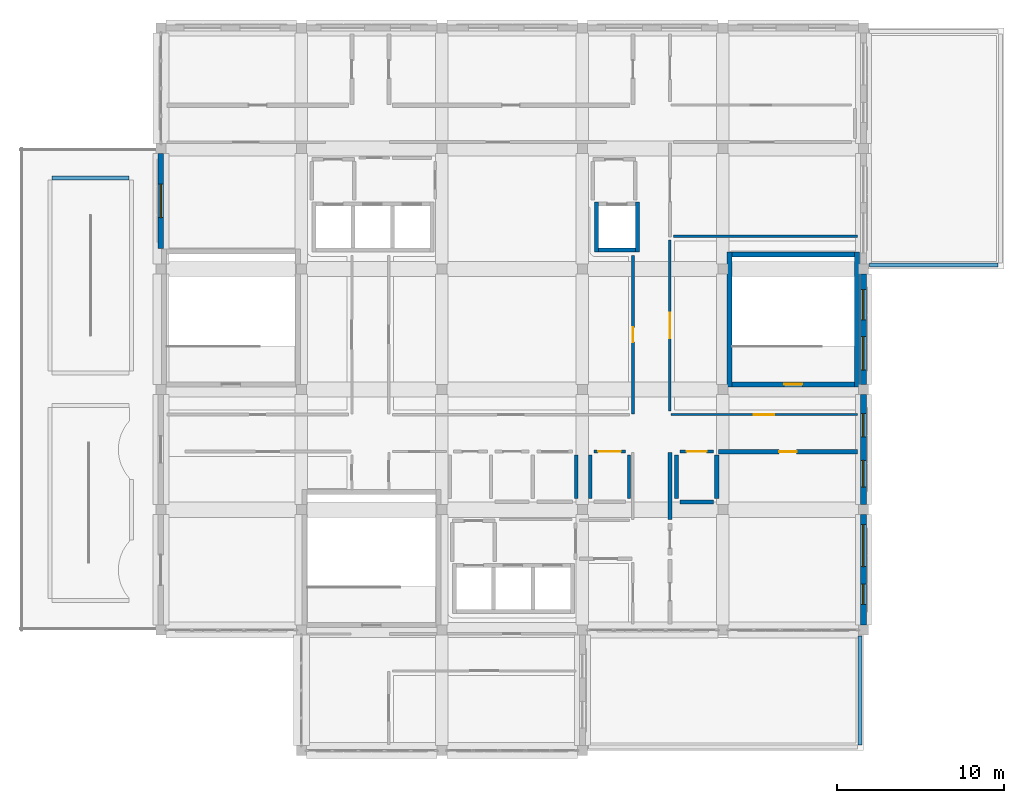
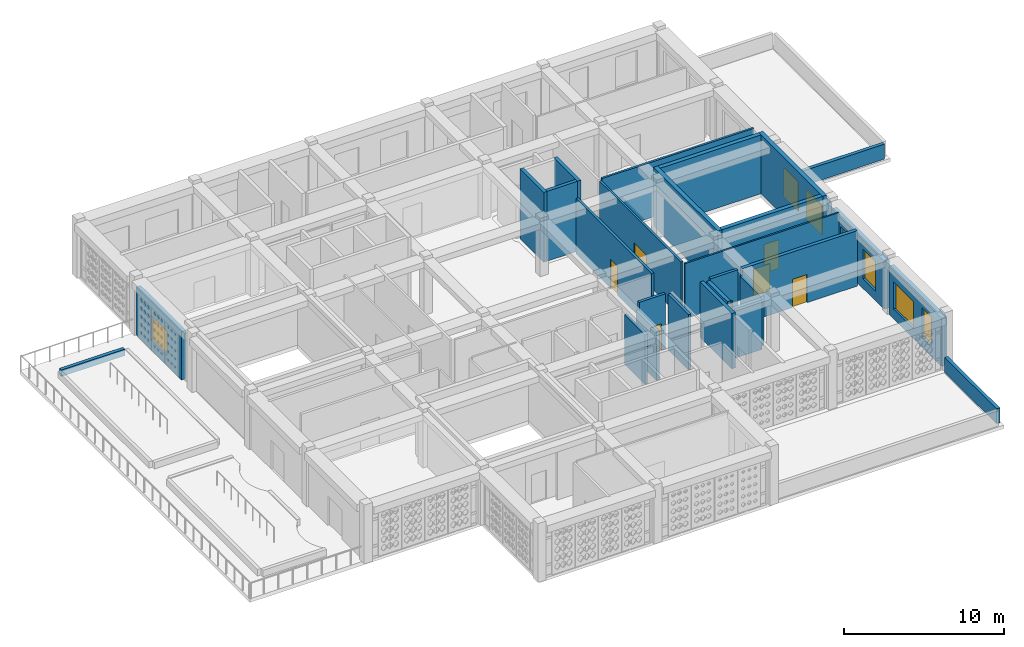
# One storey, part 14 of 28: 28 walls, 7 doors, 7 windows, 14 openings.
"""IFC4 building model written with IfcOpenShell, lengths in metres."""

from ifc_helpers import new_model, si_unit, derived_unit, direction, frame, frame_2d, origin, place, context, subcontext, project, spatial, rectangle, extrude, material, layer, layer_set, type_object, element, fill, save


model = new_model("IFC4")

# Units and contexts
model_context = context("Model", 3, precision=1e-05, world=origin(), true_north=direction((0.0, 1.0)))
body_context = subcontext(model_context, "Body", "Model", "MODEL_VIEW")
ifc_project = project(units=[si_unit("LENGTHUNIT", "METRE"), si_unit("AREAUNIT", "SQUARE_METRE"), si_unit("VOLUMEUNIT", "CUBIC_METRE"), si_unit("PLANEANGLEUNIT", "RADIAN"), si_unit("MASSUNIT", "GRAM", prefix="KILO"), derived_unit("THERMALTRANSMITTANCEUNIT", [(si_unit("POWERUNIT", "WATT"), 1), (si_unit("LENGTHUNIT", "METRE"), -2), (si_unit("THERMODYNAMICTEMPERATUREUNIT", "KELVIN"), -1)])], contexts=[model_context])

# Site, building, storey
site_placement = place(None, origin())
site = spatial("IfcSite", under=ifc_project, at=site_placement, CompositionType="ELEMENT")
building_placement = place(site_placement, origin())
building = spatial("IfcBuilding", under=site, at=building_placement, Name="Veybourne Emporium", CompositionType="ELEMENT")
storey_placement = place(building_placement, frame((0.0, 0.0, 32.10009765625)))
storey = spatial("IfcBuildingStorey", under=building, at=storey_placement, Name="L07", CompositionType="ELEMENT", Elevation=32.10009765625)

# Wall, openings, windows
ifc_material_1 = material(Name="Portland Limestone Ashlar", Category="masonry")
ifc_layer_1 = layer(ifc_material_1, 0.3798828125)
ifc_layer_set_1 = layer_set([ifc_layer_1], Name="Portland Limestone Ashlar")
wall_type_1 = type_object("IfcWallType", Name="ExtWall_EW-03", PredefinedType="SOLIDWALL", material=ifc_layer_set_1)
wall_1_placement = place(storey_placement, frame((50.39990234375, 21.300048828125, 0.0), z_axis=(0.0, 0.0, 1.0), x_axis=(0.0, -1.0, 0.0)))
wall_1 = element("IfcWall", 1, at=wall_1_placement, inside=storey, type_object=wall_type_1, Name="L07 Portland stone external wall 017", PredefinedType="SOLIDWALL", context=body_context, shape_type="SweptSolid", body=[
    extrude(rectangle(XDim=6.60009765625, YDim=0.3798828125, at=frame_2d((3.300048828125, 0.0))), origin(), (0.0, 0.0, 1.0), 3.68994140625),
])
opening_1_placement = place(wall_1_placement, frame((0.593017578125, 0.0, 0.75)))
opening_1 = element("IfcOpeningElement", 2, at=opening_1_placement, cuts=wall_1, Name="Opening W-16", PredefinedType="OPENING", context=body_context, shape_type="SweptSolid", body=[
    extrude(rectangle(XDim=2.510009765625, YDim=2.080078125, at=frame_2d((1.2548828125, 1.0400390625))), frame((0.0, 0.2099609375, 0.0), z_axis=(0.0, -1.0, 0.0), x_axis=(1.0, 0.0, 0.0)), (0.0, 0.0, 1.0), 0.419921875),
])
opening_2_placement = place(wall_1_placement, frame((4.152099609375, 0.0, 0.75)))
opening_2 = element("IfcOpeningElement", 3, at=opening_2_placement, cuts=wall_1, Name="Opening W-17", PredefinedType="OPENING", context=body_context, shape_type="SweptSolid", body=[
    extrude(rectangle(XDim=1.199951171875, YDim=2.260009765625, at=frame_2d((0.60009765625, 1.1298828125))), frame((0.0, 0.2099609375, 0.0), z_axis=(0.0, -1.0, 0.0), x_axis=(1.0, 0.0, 0.0)), (0.0, 0.0, 1.0), 0.419921875),
])
ifc_material_2 = material(Name="Low-E Triple Glazing", Category="glass")
window_type_1 = type_object("IfcWindowType", Name="Win_W-16", PartitioningType="TRIPLE_PANEL_VERTICAL", PredefinedType="WINDOW", material=ifc_material_2)
window_1_placement = place(opening_1_placement, origin())
window_1 = element("IfcWindow", 4, at=window_1_placement, inside=storey, type_object=window_type_1, Name="L07 tripartite bronze casement window W-16 (17.1)", OverallHeight=2.080078125, OverallWidth=2.510009765625, PartitioningType="TRIPLE_PANEL_VERTICAL", PredefinedType="WINDOW", context=body_context, shape_type="SweptSolid", body=[
    extrude(rectangle(XDim=2.510009765625, YDim=2.080078125, at=frame_2d((1.2548828125, 1.0400390625))), frame((0.0, 0.030029296875, 0.0), z_axis=(0.0, -1.0, 0.0), x_axis=(1.0, 0.0, 0.0)), (0.0, 0.0, 1.0), 0.06005859375),
])
fill(opening_1, window_1)
window_type_2 = type_object("IfcWindowType", Name="Win_W-17", PartitioningType="SINGLE_PANEL", PredefinedType="WINDOW", material=ifc_material_2)
window_2_placement = place(opening_2_placement, origin())
window_2 = element("IfcWindow", 5, at=window_2_placement, inside=storey, type_object=window_type_2, Name="L07 tripartite bronze casement window W-17 (17.2)", OverallHeight=2.260009765625, OverallWidth=1.199951171875, PartitioningType="SINGLE_PANEL", PredefinedType="WINDOW", context=body_context, shape_type="SweptSolid", body=[
    extrude(rectangle(XDim=1.199951171875, YDim=2.260009765625, at=frame_2d((0.60009765625, 1.1298828125))), frame((0.0, 0.030029296875, 0.0), z_axis=(0.0, -1.0, 0.0), x_axis=(1.0, 0.0, 0.0)), (0.0, 0.0, 1.0), 0.06005859375),
])
fill(opening_2, window_2)

wall_2_placement = place(storey_placement, frame((50.39990234375, 28.5, 0.0), z_axis=(0.0, 0.0, 1.0), x_axis=(0.0, -1.0, 0.0)))
wall_2 = element("IfcWall", 6, at=wall_2_placement, inside=storey, type_object=wall_type_1, Name="L07 Portland stone external wall 018", PredefinedType="SOLIDWALL", context=body_context, shape_type="SweptSolid", body=[
    extrude(rectangle(XDim=6.60009765625, YDim=0.3798828125, at=frame_2d((3.300048828125, 0.0))), origin(), (0.0, 0.0, 1.0), 3.68994140625),
])
opening_3_placement = place(wall_2_placement, frame((1.14794921875, 0.0, 0.75)))
opening_3 = element("IfcOpeningElement", 7, at=opening_3_placement, cuts=wall_2, Name="Opening W-18", PredefinedType="OPENING", context=body_context, shape_type="SweptSolid", body=[
    extrude(rectangle(XDim=1.39990234375, YDim=2.260009765625, at=frame_2d((0.699951171875, 1.1298828125))), frame((0.0, 0.2099609375, 0.0), z_axis=(0.0, -1.0, 0.0), x_axis=(1.0, 0.0, 0.0)), (0.0, 0.0, 1.0), 0.419921875),
])
opening_4_placement = place(wall_2_placement, frame((3.951904296875, 0.0, 0.75)))
opening_4 = element("IfcOpeningElement", 8, at=opening_4_placement, cuts=wall_2, Name="Opening W-19", PredefinedType="OPENING", context=body_context, shape_type="SweptSolid", body=[
    extrude(rectangle(XDim=1.60009765625, YDim=2.260009765625, at=frame_2d((0.800048828125, 1.1298828125))), frame((0.0, 0.2099609375, 0.0), z_axis=(0.0, -1.0, 0.0), x_axis=(1.0, 0.0, 0.0)), (0.0, 0.0, 1.0), 0.419921875),
])
window_type_3 = type_object("IfcWindowType", Name="Win_W-18", PartitioningType="DOUBLE_PANEL_VERTICAL", PredefinedType="WINDOW", material=ifc_material_2)
window_3_placement = place(opening_3_placement, origin())
window_3 = element("IfcWindow", 9, at=window_3_placement, inside=storey, type_object=window_type_3, Name="L07 tripartite bronze casement window W-18 (18.1)", OverallHeight=2.260009765625, OverallWidth=1.39990234375, PartitioningType="DOUBLE_PANEL_VERTICAL", PredefinedType="WINDOW", context=body_context, shape_type="SweptSolid", body=[
    extrude(rectangle(XDim=1.39990234375, YDim=2.260009765625, at=frame_2d((0.699951171875, 1.1298828125))), frame((0.0, 0.030029296875, 0.0), z_axis=(0.0, -1.0, 0.0), x_axis=(1.0, 0.0, 0.0)), (0.0, 0.0, 1.0), 0.06005859375),
])
fill(opening_3, window_3)
window_type_4 = type_object("IfcWindowType", Name="Win_W-19", PartitioningType="DOUBLE_PANEL_VERTICAL", PredefinedType="WINDOW", material=ifc_material_2)
window_4_placement = place(opening_4_placement, origin())
window_4 = element("IfcWindow", 10, at=window_4_placement, inside=storey, type_object=window_type_4, Name="L07 tripartite bronze casement window W-19 (18.2)", OverallHeight=2.260009765625, OverallWidth=1.60009765625, PartitioningType="DOUBLE_PANEL_VERTICAL", PredefinedType="WINDOW", context=body_context, shape_type="SweptSolid", body=[
    extrude(rectangle(XDim=1.60009765625, YDim=2.260009765625, at=frame_2d((0.800048828125, 1.1298828125))), frame((0.0, 0.030029296875, 0.0), z_axis=(0.0, -1.0, 0.0), x_axis=(1.0, 0.0, 0.0)), (0.0, 0.0, 1.0), 0.06005859375),
])
fill(opening_4, window_4)

wall_3_placement = place(storey_placement, frame((50.39990234375, 35.699951171875, 0.0), z_axis=(0.0, 0.0, 1.0), x_axis=(0.0, -1.0, 0.0)))
wall_3 = element("IfcWall", 11, at=wall_3_placement, inside=storey, type_object=wall_type_1, Name="L07 Portland stone external wall 019", PredefinedType="SOLIDWALL", context=body_context, shape_type="SweptSolid", body=[
    extrude(rectangle(XDim=6.599853515625, YDim=0.3798828125, at=frame_2d((3.2998046875, 0.0))), origin(), (0.0, 0.0, 1.0), 3.68994140625),
])
opening_5_placement = place(wall_3_placement, frame((0.947998046875, 0.0, 0.75)))
opening_5 = element("IfcOpeningElement", 12, at=opening_5_placement, cuts=wall_3, Name="Opening W-20", PredefinedType="OPENING", context=body_context, shape_type="SweptSolid", body=[
    extrude(rectangle(XDim=1.800048828125, YDim=2.260009765625, at=frame_2d((0.89990234375, 1.1298828125))), frame((0.0, 0.2099609375, 0.0), z_axis=(0.0, -1.0, 0.0), x_axis=(1.0, 0.0, 0.0)), (0.0, 0.0, 1.0), 0.419921875),
])
opening_6_placement = place(wall_3_placement, frame((3.751953125, 0.0, 0.75)))
opening_6 = element("IfcOpeningElement", 13, at=opening_6_placement, cuts=wall_3, Name="Opening W-21", PredefinedType="OPENING", context=body_context, shape_type="SweptSolid", body=[
    extrude(rectangle(XDim=2.0, YDim=2.260009765625, at=frame_2d((1.0, 1.1298828125))), frame((0.0, 0.2099609375, 0.0), z_axis=(0.0, -1.0, 0.0), x_axis=(1.0, 0.0, 0.0)), (0.0, 0.0, 1.0), 0.419921875),
])
window_type_5 = type_object("IfcWindowType", Name="Win_W-20", PartitioningType="DOUBLE_PANEL_VERTICAL", PredefinedType="WINDOW", material=ifc_material_2)
window_5_placement = place(opening_5_placement, origin())
window_5 = element("IfcWindow", 14, at=window_5_placement, inside=storey, type_object=window_type_5, Name="L07 tripartite bronze casement window W-20 (19.1)", OverallHeight=2.260009765625, OverallWidth=1.800048828125, PartitioningType="DOUBLE_PANEL_VERTICAL", PredefinedType="WINDOW", context=body_context, shape_type="SweptSolid", body=[
    extrude(rectangle(XDim=1.800048828125, YDim=2.260009765625, at=frame_2d((0.89990234375, 1.1298828125))), frame((0.0, 0.030029296875, 0.0), z_axis=(0.0, -1.0, 0.0), x_axis=(1.0, 0.0, 0.0)), (0.0, 0.0, 1.0), 0.06005859375),
])
fill(opening_5, window_5)
window_type_6 = type_object("IfcWindowType", Name="Win_W-21", PartitioningType="TRIPLE_PANEL_VERTICAL", PredefinedType="WINDOW", material=ifc_material_2)
window_6_placement = place(opening_6_placement, origin())
window_6 = element("IfcWindow", 15, at=window_6_placement, inside=storey, type_object=window_type_6, Name="L07 tripartite bronze casement window W-21 (19.2)", OverallHeight=2.260009765625, OverallWidth=2.0, PartitioningType="TRIPLE_PANEL_VERTICAL", PredefinedType="WINDOW", context=body_context, shape_type="SweptSolid", body=[
    extrude(rectangle(XDim=2.0, YDim=2.260009765625, at=frame_2d((1.0, 1.1298828125))), frame((0.0, 0.030029296875, 0.0), z_axis=(0.0, -1.0, 0.0), x_axis=(1.0, 0.0, 0.0)), (0.0, 0.0, 1.0), 0.06005859375),
])
fill(opening_6, window_6)

# Wall, opening, window
ifc_layer_2 = layer(ifc_material_1, 0.330078125)
ifc_layer_set_2 = layer_set([ifc_layer_2], Name="Portland Limestone Ashlar")
wall_type_2 = type_object("IfcWallType", Name="ExtWall_EW-04", PredefinedType="SOLIDWALL", material=ifc_layer_set_2)
wall_4_placement = place(storey_placement, frame((8.39990234375, 37.219970703125, 0.0), z_axis=(0.0, 0.0, 1.0), x_axis=(0.0, 1.0, 0.0)))
wall_4 = element("IfcWall", 16, at=wall_4_placement, inside=storey, type_object=wall_type_2, Name="L07 terrace facade wall 005", PredefinedType="SOLIDWALL", context=body_context, shape_type="SweptSolid", body=[
    extrude(rectangle(XDim=5.679931640625, YDim=0.330078125, at=frame_2d((2.83984375, 0.0))), origin(), (0.0, 0.0, 1.0), 3.68994140625),
])
opening_7_placement = place(wall_4_placement, frame((1.840087890625, 0.0, 0.75)))
opening_7 = element("IfcOpeningElement", 17, at=opening_7_placement, cuts=wall_4, Name="Opening W-05", PredefinedType="OPENING", context=body_context, shape_type="SweptSolid", body=[
    extrude(rectangle(XDim=2.0, YDim=1.89990234375, at=frame_2d((1.0, 0.949951171875))), frame((0.0, 0.18505859375, 0.0), z_axis=(0.0, -1.0, 0.0), x_axis=(1.0, 0.0, 0.0)), (0.0, 0.0, 1.0), 0.3701171875),
])
window_type_7 = type_object("IfcWindowType", Name="Win_W-05", PartitioningType="TRIPLE_PANEL_VERTICAL", PredefinedType="WINDOW", material=ifc_material_2)
window_7_placement = place(opening_7_placement, origin())
window_7 = element("IfcWindow", 18, at=window_7_placement, inside=storey, type_object=window_type_7, Name="L07 terrace window 005", OverallHeight=1.89990234375, OverallWidth=2.0, PartitioningType="TRIPLE_PANEL_VERTICAL", PredefinedType="WINDOW", context=body_context, shape_type="SweptSolid", body=[
    extrude(rectangle(XDim=2.0, YDim=1.89990234375, at=frame_2d((1.0, 0.949951171875))), frame((0.0, 0.030029296875, 0.0), z_axis=(0.0, -1.0, 0.0), x_axis=(1.0, 0.0, 0.0)), (0.0, 0.0, 1.0), 0.06005859375),
])
fill(opening_7, window_7)

# Walls
ifc_material_3 = material(Name="Precast concrete C40/50", Category="concrete")
ifc_layer_3 = layer(ifc_material_3, 0.239990234375)
ifc_layer_set_3 = layer_set([ifc_layer_3], Name="Precast concrete C40/50")
wall_type_3 = type_object("IfcWallType", Name="ExtWall_PW-02", PredefinedType="PARAPET", material=ifc_layer_set_3)
wall_5_placement = place(storey_placement, frame((1.89990234375, 41.429931640625, 0.0), z_axis=(0.0, 0.0, 1.0), x_axis=(1.0, 0.0, 0.0)))
element("IfcWall", 19, at=wall_5_placement, inside=storey, type_object=wall_type_3, Name="L07 planted roof-garden kerb 004", PredefinedType="PARAPET", context=body_context, shape_type="SweptSolid", body=[
    extrude(rectangle(XDim=4.60009765625, YDim=0.239990234375, at=frame_2d((2.300048828125, 0.0))), origin(), (0.0, 0.0, 1.0), 0.5),
])
wall_6_placement = place(storey_placement, frame((50.179931640625, 14.050048828125, 0.0), z_axis=(0.0, 0.0, 1.0), x_axis=(0.0, -1.0, 0.0)))
element("IfcWall", 20, at=wall_6_placement, inside=storey, type_object=wall_type_3, Name="L07 roof parapet wall 001", PredefinedType="PARAPET", context=body_context, shape_type="SweptSolid", body=[
    extrude(rectangle(XDim=6.5, YDim=0.239990234375, at=frame_2d((3.25, 0.0))), origin(), (0.0, 0.0, 1.0), 1.14990234375),
])
wall_7_placement = place(storey_placement, frame((58.449951171875, 36.219970703125, 0.0), z_axis=(0.0, 0.0, 1.0), x_axis=(-1.0, 0.0, 0.0)))
element("IfcWall", 21, at=wall_7_placement, inside=storey, type_object=wall_type_3, Name="L07 roof parapet wall 005", PredefinedType="PARAPET", context=body_context, shape_type="SweptSolid", body=[
    extrude(rectangle(XDim=7.699951171875, YDim=0.239990234375, at=frame_2d((3.85009765625, 0.0))), origin(), (0.0, 0.0, 1.0), 1.14990234375),
])

# Wall, opening, door
ifc_material_4 = material(Name="Concrete C40/50", Category="concrete")
ifc_layer_4 = layer(ifc_material_4, 0.300048828125)
ifc_layer_set_4 = layer_set([ifc_layer_4], Name="Concrete C40/50")
wall_type_4 = type_object("IfcWallType", Name="IntWall_CW-03", PredefinedType="SHEAR", material=ifc_layer_set_4)
wall_8_placement = place(storey_placement, frame((49.85009765625, 29.10009765625, 0.0), z_axis=(0.0, 0.0, 1.0), x_axis=(-1.0, 0.0, 0.0)))
wall_8 = element("IfcWall", 22, at=wall_8_placement, inside=storey, type_object=wall_type_4, Name="Core stair ST-05 south shear wall (L07)", PredefinedType="SHEAR", context=body_context, shape_type="SweptSolid", body=[
    extrude(rectangle(XDim=7.300048828125, YDim=0.300048828125, at=frame_2d((3.64990234375, 0.0))), origin(), (0.0, 0.0, 1.0), 4.5),
])
opening_8_placement = place(wall_8_placement, frame((3.10009765625, 0.0, 0.0)))
opening_8 = element("IfcOpeningElement", 23, at=opening_8_placement, cuts=wall_8, Name="Opening FD-01", PredefinedType="OPENING", context=body_context, shape_type="SweptSolid", body=[
    extrude(rectangle(XDim=1.10009765625, YDim=2.199951171875, at=frame_2d((0.550048828125, 1.10009765625))), frame((0.0, 0.169921875, 0.0), z_axis=(0.0, -1.0, 0.0), x_axis=(1.0, 0.0, 0.0)), (0.0, 0.0, 1.0), 0.340087890625),
])
ifc_material_5 = material(Name="Patinated Architectural Bronze", Category="bronze")
door_type_1 = type_object("IfcDoorType", Name="FireDoor_FD-01", OperationType="NOTDEFINED", PredefinedType="DOOR", material=ifc_material_5)
door_1_placement = place(opening_8_placement, origin())
door_1 = element("IfcDoor", 24, at=door_1_placement, inside=storey, type_object=door_type_1, Name="Stair ST-05 fire door (L07)", OperationType="SINGLE_SWING_LEFT", OverallHeight=2.199951171875, OverallWidth=1.10009765625, PredefinedType="DOOR", context=body_context, shape_type="SweptSolid", body=[
    extrude(rectangle(XDim=1.10009765625, YDim=2.199951171875, at=frame_2d((0.550048828125, 1.10009765625))), frame((0.0, 0.02490234375, 0.0), z_axis=(0.0, -1.0, 0.0), x_axis=(1.0, 0.0, 0.0)), (0.0, 0.0, 1.0), 0.050048828125),
])
fill(opening_8, door_1)

# Walls
wall_9_placement = place(storey_placement, frame((42.550048828125, 36.85009765625, 0.0), z_axis=(0.0, 0.0, 1.0), x_axis=(1.0, 0.0, 0.0)))
element("IfcWall", 25, at=wall_9_placement, inside=storey, type_object=wall_type_4, Name="Core stair ST-05 north shear wall (L07)", PredefinedType="SHEAR", context=body_context, shape_type="SweptSolid", body=[
    extrude(rectangle(XDim=7.300048828125, YDim=0.300048828125, at=frame_2d((3.64990234375, 0.0))), origin(), (0.0, 0.0, 1.0), 4.5),
])
for number, where, z_axis, x_axis, name in (
    (26, (42.39990234375, 37.0, 0.0), (0.0, 0.0, 1.0), (0.0, -1.0, 0.0), "Core stair ST-05 west shear wall (L07)"),
    (27, (50.0, 28.949951171875, 0.0), (0.0, 0.0, 1.0), (0.0, 1.0, 0.0), "Core stair ST-05 east shear wall (L07)"),
):
    element("IfcWall", number, at=place(storey_placement, frame(where, z_axis=z_axis, x_axis=x_axis)), inside=storey, type_object=wall_type_4, Name=name, PredefinedType="SHEAR", context=body_context, shape_type="SweptSolid", body=[
        extrude(rectangle(XDim=8.050048828125, YDim=0.300048828125, at=frame_2d((4.02490234375, 0.0))), origin(), (0.0, 0.0, 1.0), 4.5),
    ])
ifc_layer_5 = layer(ifc_material_4, 0.239990234375)
ifc_layer_set_5 = layer_set([ifc_layer_5], Name="Concrete C40/50")
wall_type_5 = type_object("IfcWallType", Name="IntWall_CW-04", PredefinedType="SHEAR", material=ifc_layer_set_5)
wall_10_placement = place(storey_placement, frame((34.56005859375, 37.1298828125, 0.0), z_axis=(0.0, 0.0, 1.0), x_axis=(1.0, 0.0, 0.0)))
element("IfcWall", 28, at=wall_10_placement, inside=storey, type_object=wall_type_5, Name="Lift core C3 south shaft wall (L07)", PredefinedType="SHEAR", context=body_context, shape_type="SweptSolid", body=[
    extrude(rectangle(XDim=2.199951171875, YDim=0.239990234375, at=frame_2d((1.10009765625, 0.0))), origin(), (0.0, 0.0, 1.0), 5.349853515625),
])
for number, where, z_axis, x_axis, name in (
    (29, (34.43994140625, 39.989990234375, 0.0), (0.0, 0.0, 1.0), (0.0, -1.0, 0.0), "Lift core C3 west shaft wall (L07)"),
    (30, (36.8798828125, 37.010009765625, 0.0), (0.0, 0.0, 1.0), (0.0, 1.0, 0.0), "Lift core C3 east shaft wall (L07)"),
):
    element("IfcWall", number, at=place(storey_placement, frame(where, z_axis=z_axis, x_axis=x_axis)), inside=storey, type_object=wall_type_5, Name=name, PredefinedType="SHEAR", context=body_context, shape_type="SweptSolid", body=[
        extrude(rectangle(XDim=2.97998046875, YDim=0.239990234375, at=frame_2d((1.489990234375, 0.0))), origin(), (0.0, 0.0, 1.0), 5.349853515625),
    ])

# Wall, opening, door
ifc_material_6 = material(Name="Concrete C32/40", Category="concrete")
ifc_layer_6 = layer(ifc_material_6, 0.25)
ifc_layer_set_6 = layer_set([ifc_layer_6], Name="Concrete C32/40")
wall_type_6 = type_object("IfcWallType", Name="IntWall_FW-01", PredefinedType="SOLIDWALL", material=ifc_layer_set_6)
wall_11_placement = place(storey_placement, frame((41.735107421875, 25.070068359375, 0.0), z_axis=(0.0, 0.0, 1.0), x_axis=(1.0, 0.0, 0.0)))
wall_11 = element("IfcWall", 31, at=wall_11_placement, inside=storey, type_object=wall_type_6, Name="L07 interior partition FW-01 #018", PredefinedType="SOLIDWALL", context=body_context, shape_type="SweptSolid", body=[
    extrude(rectangle(XDim=8.294921875, YDim=0.25, at=frame_2d((4.1474609375, 0.0))), origin(), (0.0, 0.0, 1.0), 4.239990234375),
])
opening_9_placement = place(wall_11_placement, frame((3.62255859375, 0.0, 0.0)))
opening_9 = element("IfcOpeningElement", 32, at=opening_9_placement, cuts=wall_11, Name="Opening FD-02", PredefinedType="OPENING", context=body_context, shape_type="SweptSolid", body=[
    extrude(rectangle(XDim=1.050048828125, YDim=2.14990234375, at=frame_2d((0.52490234375, 1.074951171875))), frame((0.0, 0.14501953125, 0.0), z_axis=(0.0, -1.0, 0.0), x_axis=(1.0, 0.0, 0.0)), (0.0, 0.0, 1.0), 0.2900390625),
])
door_type_2 = type_object("IfcDoorType", Name="FireDoor_FD-02", OperationType="NOTDEFINED", PredefinedType="DOOR", material=ifc_material_5)
door_2_placement = place(opening_9_placement, origin())
door_2 = element("IfcDoor", 33, at=door_2_placement, inside=storey, type_object=door_type_2, Name="L07 interior door FD-02 (PART-L07-018)", OperationType="SINGLE_SWING_LEFT", OverallHeight=2.14990234375, OverallWidth=1.050048828125, PredefinedType="DOOR", context=body_context, shape_type="SweptSolid", body=[
    extrude(rectangle(XDim=1.050048828125, YDim=2.14990234375, at=frame_2d((0.52490234375, 1.074951171875))), frame((0.0, 0.02490234375, 0.0), z_axis=(0.0, -1.0, 0.0), x_axis=(1.0, 0.0, 0.0)), (0.0, 0.0, 1.0), 0.050048828125),
])
fill(opening_9, door_2)

# Walls
wall_12_placement = place(storey_placement, frame((38.830078125, 21.030029296875, 0.0), z_axis=(0.0, 0.0, 1.0), x_axis=(0.0, 1.0, 0.0)))
element("IfcWall", 34, at=wall_12_placement, inside=storey, type_object=wall_type_6, Name="L07 interior partition FW-01 #027", PredefinedType="SOLIDWALL", context=body_context, shape_type="SweptSolid", body=[
    extrude(rectangle(XDim=3.989990234375, YDim=0.25, at=frame_2d((1.9951171875, 0.0))), origin(), (0.0, 0.0, 1.0), 4.239990234375),
])
wall_13_placement = place(storey_placement, frame((41.6298828125, 22.280029296875, 0.0), z_axis=(0.0, 0.0, 1.0), x_axis=(0.0, 1.0, 0.0)))
element("IfcWall", 35, at=wall_13_placement, inside=storey, type_object=wall_type_6, Name="L07 interior partition FW-01 #054", PredefinedType="SOLIDWALL", context=body_context, shape_type="SweptSolid", body=[
    extrude(rectangle(XDim=2.590087890625, YDim=0.25, at=frame_2d((1.294921875, 0.0))), origin(), (0.0, 0.0, 1.0), 3.789794921875),
])
wall_14_placement = place(storey_placement, frame((39.219970703125, 22.280029296875, 0.0), z_axis=(0.0, 0.0, 1.0), x_axis=(0.0, 1.0, 0.0)))
element("IfcWall", 36, at=wall_14_placement, inside=storey, type_object=wall_type_6, Name="L07 interior partition FW-01 #055", PredefinedType="SOLIDWALL", context=body_context, shape_type="SweptSolid", body=[
    extrude(rectangle(XDim=2.590087890625, YDim=0.25, at=frame_2d((1.294921875, 0.0))), origin(), (0.0, 0.0, 1.0), 4.239990234375),
])
wall_15_placement = place(storey_placement, frame((39.429931640625, 22.070068359375, 0.0), z_axis=(0.0, 0.0, 1.0), x_axis=(1.0, 0.0, 0.0)))
element("IfcWall", 37, at=wall_15_placement, inside=storey, type_object=wall_type_6, Name="L07 interior partition FW-01 #058", PredefinedType="SOLIDWALL", context=body_context, shape_type="SweptSolid", body=[
    extrude(rectangle(XDim=1.989990234375, YDim=0.25, at=frame_2d((0.9951171875, 0.0))), origin(), (0.0, 0.0, 1.0), 3.789794921875),
])

# Wall, opening, door
ifc_material_7 = material(Name="Gypsum Acoustic Board", Category="gypsum")
ifc_layer_7 = layer(ifc_material_7, 0.179931640625)
ifc_layer_set_7 = layer_set([ifc_layer_7], Name="Gypsum Acoustic Board")
wall_type_7 = type_object("IfcWallType", Name="IntWall_IW-01", PredefinedType="PARTITIONING", material=ifc_layer_set_7)
wall_16_placement = place(storey_placement, frame((36.6201171875, 27.330078125, 0.0), z_axis=(0.0, 0.0, 1.0), x_axis=(0.0, 1.0, 0.0)))
wall_16 = element("IfcWall", 38, at=wall_16_placement, inside=storey, type_object=wall_type_7, Name="L07 interior partition IW-01 #016", PredefinedType="PARTITIONING", context=body_context, shape_type="SweptSolid", body=[
    extrude(rectangle(XDim=9.469970703125, YDim=0.179931640625, at=frame_2d((4.73486328125, 0.0))), origin(), (0.0, 0.0, 1.0), 4.239990234375),
])
opening_10_placement = place(wall_16_placement, frame((4.294921875, 0.0, 0.0)))
opening_10 = element("IfcOpeningElement", 39, at=opening_10_placement, cuts=wall_16, Name="Opening D-13", PredefinedType="OPENING", context=body_context, shape_type="SweptSolid", body=[
    extrude(rectangle(XDim=0.8798828125, YDim=2.2099609375, at=frame_2d((0.43994140625, 1.10498046875))), frame((0.0, 0.10986328125, 0.0), z_axis=(0.0, -1.0, 0.0), x_axis=(1.0, 0.0, 0.0)), (0.0, 0.0, 1.0), 0.219970703125),
])
ifc_material_8 = material(Name="European Oak Veneer and Bronze", Category="wood")
door_type_3 = type_object("IfcDoorType", Name="IntDoor_D-13", OperationType="NOTDEFINED", PredefinedType="DOOR", material=ifc_material_8)
door_3_placement = place(opening_10_placement, origin())
door_3 = element("IfcDoor", 40, at=door_3_placement, inside=storey, type_object=door_type_3, Name="L07 interior door D-13 (PART-L07-016)", OperationType="SINGLE_SWING_LEFT", OverallHeight=2.2099609375, OverallWidth=0.8798828125, PredefinedType="DOOR", context=body_context, shape_type="SweptSolid", body=[
    extrude(rectangle(XDim=0.8798828125, YDim=2.2099609375, at=frame_2d((0.43994140625, 1.10498046875))), frame((0.0, 0.02490234375, 0.0), z_axis=(0.0, -1.0, 0.0), x_axis=(1.0, 0.0, 0.0)), (0.0, 0.0, 1.0), 0.050048828125),
])
fill(opening_10, door_3)

ifc_layer_8 = layer(ifc_material_7, 0.14990234375)
ifc_layer_set_8 = layer_set([ifc_layer_8], Name="Gypsum Acoustic Board")
wall_type_8 = type_object("IfcWallType", Name="IntWall_IW-02", PredefinedType="PARTITIONING", material=ifc_layer_set_8)
wall_17_placement = place(storey_placement, frame((38.830078125, 27.489990234375, 0.0), z_axis=(0.0, 0.0, 1.0), x_axis=(0.0, 1.0, 0.0)))
wall_17 = element("IfcWall", 41, at=wall_17_placement, inside=storey, type_object=wall_type_8, Name="L07 interior partition IW-02 #014", PredefinedType="PARTITIONING", context=body_context, shape_type="SweptSolid", body=[
    extrude(rectangle(XDim=10.239990234375, YDim=0.14990234375, at=frame_2d((5.1201171875, 0.0))), origin(), (0.0, 0.0, 1.0), 4.239990234375),
])
opening_11_placement = place(wall_17_placement, frame((4.360107421875, 0.0, 0.0)))
opening_11 = element("IfcOpeningElement", 42, at=opening_11_placement, cuts=wall_17, Name="Opening D-11", PredefinedType="OPENING", context=body_context, shape_type="SweptSolid", body=[
    extrude(rectangle(XDim=1.52001953125, YDim=2.1298828125, at=frame_2d((0.760009765625, 1.06494140625))), frame((0.0, 0.094970703125, 0.0), z_axis=(0.0, -1.0, 0.0), x_axis=(1.0, 0.0, 0.0)), (0.0, 0.0, 1.0), 0.18994140625),
])
door_type_4 = type_object("IfcDoorType", Name="IntDoor_D-11", OperationType="NOTDEFINED", PredefinedType="DOOR", material=ifc_material_8)
door_4_placement = place(opening_11_placement, origin())
door_4 = element("IfcDoor", 43, at=door_4_placement, inside=storey, type_object=door_type_4, Name="L07 interior door D-11 (PART-L07-014)", OperationType="SINGLE_SWING_RIGHT", OverallHeight=2.1298828125, OverallWidth=1.52001953125, PredefinedType="DOOR", context=body_context, shape_type="SweptSolid", body=[
    extrude(rectangle(XDim=1.52001953125, YDim=2.1298828125, at=frame_2d((0.760009765625, 1.06494140625))), frame((0.0, 0.02490234375, 0.0), z_axis=(0.0, -1.0, 0.0), x_axis=(1.0, 0.0, 0.0)), (0.0, 0.0, 1.0), 0.050048828125),
])
fill(opening_11, door_4)

# Wall
wall_18_placement = place(storey_placement, frame((39.0400390625, 37.93994140625, 0.0), z_axis=(0.0, 0.0, 1.0), x_axis=(1.0, 0.0, 0.0)))
element("IfcWall", 44, at=wall_18_placement, inside=storey, type_object=wall_type_8, Name="L07 interior partition IW-02 #047", PredefinedType="PARTITIONING", context=body_context, shape_type="SweptSolid", body=[
    extrude(rectangle(XDim=10.989990234375, YDim=0.14990234375, at=frame_2d((5.4951171875, 0.0))), origin(), (0.0, 0.0, 1.0), 4.239990234375),
])

# Wall, opening, door
ifc_layer_9 = layer(ifc_material_7, 0.1201171875)
ifc_layer_set_9 = layer_set([ifc_layer_9], Name="Gypsum Acoustic Board")
wall_type_9 = type_object("IfcWallType", Name="IntWall_IW-03", PredefinedType="PARTITIONING", material=ifc_layer_set_9)
wall_19_placement = place(storey_placement, frame((38.8798828125, 27.280029296875, 0.0), z_axis=(0.0, 0.0, 1.0), x_axis=(1.0, 0.0, 0.0)))
wall_19 = element("IfcWall", 45, at=wall_19_placement, inside=storey, type_object=wall_type_9, Name="L07 interior partition IW-03 #006", PredefinedType="PARTITIONING", context=body_context, shape_type="SweptSolid", body=[
    extrude(rectangle(XDim=11.150146484375, YDim=0.1201171875, at=frame_2d((5.5751953125, 0.0))), origin(), (0.0, 0.0, 1.0), 4.239990234375),
])
opening_12_placement = place(wall_19_placement, frame((4.97509765625, 0.0, 0.0)))
opening_12 = element("IfcOpeningElement", 46, at=opening_12_placement, cuts=wall_19, Name="Opening D-03", PredefinedType="OPENING", context=body_context, shape_type="SweptSolid", body=[
    extrude(rectangle(XDim=1.199951171875, YDim=2.050048828125, at=frame_2d((0.60009765625, 1.02490234375))), frame((0.0, 0.080078125, 0.0), z_axis=(0.0, -1.0, 0.0), x_axis=(1.0, 0.0, 0.0)), (0.0, 0.0, 1.0), 0.16015625),
])
door_type_5 = type_object("IfcDoorType", Name="IntDoor_D-03", OperationType="NOTDEFINED", PredefinedType="DOOR", material=ifc_material_8)
door_5_placement = place(opening_12_placement, origin())
door_5 = element("IfcDoor", 47, at=door_5_placement, inside=storey, type_object=door_type_5, Name="L07 interior door D-03 (PART-L07-006)", OperationType="SINGLE_SWING_LEFT", OverallHeight=2.050048828125, OverallWidth=1.199951171875, PredefinedType="DOOR", context=body_context, shape_type="SweptSolid", body=[
    extrude(rectangle(XDim=1.199951171875, YDim=2.050048828125, at=frame_2d((0.60009765625, 1.02490234375))), frame((0.0, 0.02490234375, 0.0), z_axis=(0.0, -1.0, 0.0), x_axis=(1.0, 0.0, 0.0)), (0.0, 0.0, 1.0), 0.050048828125),
])
fill(opening_12, door_5)

ifc_layer_10 = layer(ifc_material_7, 0.199951171875)
ifc_layer_set_10 = layer_set([ifc_layer_10], Name="Gypsum Acoustic Board")
wall_type_10 = type_object("IfcWallType", Name="IntWall_IW-04", PredefinedType="PLUMBINGWALL", material=ifc_layer_set_10)
wall_20_placement = place(storey_placement, frame((39.429931640625, 25.080078125, 0.0), z_axis=(0.0, 0.0, 1.0), x_axis=(1.0, 0.0, 0.0)))
wall_20 = element("IfcWall", 48, at=wall_20_placement, inside=storey, type_object=wall_type_10, Name="L07 interior partition IW-04 #042", PredefinedType="PLUMBINGWALL", context=body_context, shape_type="SweptSolid", body=[
    extrude(rectangle(XDim=1.989990234375, YDim=0.199951171875, at=frame_2d((0.9951171875, 0.0))), origin(), (0.0, 0.0, 1.0), 4.239990234375),
])
opening_13_placement = place(wall_20_placement, frame((0.39501953125, 0.0, 0.0)))
opening_13 = element("IfcOpeningElement", 49, at=opening_13_placement, cuts=wall_20, Name="Opening D-03", PredefinedType="OPENING", context=body_context, shape_type="SweptSolid", body=[
    extrude(rectangle(XDim=1.199951171875, YDim=2.050048828125, at=frame_2d((0.60009765625, 1.02490234375))), frame((0.0, 0.1201171875, 0.0), z_axis=(0.0, -1.0, 0.0), x_axis=(1.0, 0.0, 0.0)), (0.0, 0.0, 1.0), 0.239990234375),
])
door_6_placement = place(opening_13_placement, origin())
door_6 = element("IfcDoor", 50, at=door_6_placement, inside=storey, type_object=door_type_5, Name="L07 interior door D-03 (PART-L07-042)", OperationType="SINGLE_SWING_LEFT", OverallHeight=2.050048828125, OverallWidth=1.199951171875, PredefinedType="DOOR", context=body_context, shape_type="SweptSolid", body=[
    extrude(rectangle(XDim=1.199951171875, YDim=2.050048828125, at=frame_2d((0.60009765625, 1.02490234375))), frame((0.0, 0.02490234375, 0.0), z_axis=(0.0, -1.0, 0.0), x_axis=(1.0, 0.0, 0.0)), (0.0, 0.0, 1.0), 0.050048828125),
])
fill(opening_13, door_6)

wall_21_placement = place(storey_placement, frame((34.280029296875, 25.080078125, 0.0), z_axis=(0.0, 0.0, 1.0), x_axis=(1.0, 0.0, 0.0)))
wall_21 = element("IfcWall", 51, at=wall_21_placement, inside=storey, type_object=wall_type_10, Name="L07 interior partition IW-04 #043", PredefinedType="PLUMBINGWALL", context=body_context, shape_type="SweptSolid", body=[
    extrude(rectangle(XDim=1.889892578125, YDim=0.199951171875, at=frame_2d((0.94482421875, 0.0))), origin(), (0.0, 0.0, 1.0), 4.239990234375),
])
opening_14_placement = place(wall_21_placement, frame((0.264892578125, 0.0, 0.0)))
opening_14 = element("IfcOpeningElement", 52, at=opening_14_placement, cuts=wall_21, Name="Opening D-04", PredefinedType="OPENING", context=body_context, shape_type="SweptSolid", body=[
    extrude(rectangle(XDim=1.360107421875, YDim=2.050048828125, at=frame_2d((0.68017578125, 1.02490234375))), frame((0.0, 0.1201171875, 0.0), z_axis=(0.0, -1.0, 0.0), x_axis=(1.0, 0.0, 0.0)), (0.0, 0.0, 1.0), 0.239990234375),
])
door_type_6 = type_object("IfcDoorType", Name="IntDoor_D-04", OperationType="NOTDEFINED", PredefinedType="DOOR", material=ifc_material_8)
door_7_placement = place(opening_14_placement, origin())
door_7 = element("IfcDoor", 53, at=door_7_placement, inside=storey, type_object=door_type_6, Name="L07 interior door D-04 (PART-L07-043)", OperationType="SINGLE_SWING_RIGHT", OverallHeight=2.050048828125, OverallWidth=1.360107421875, PredefinedType="DOOR", context=body_context, shape_type="SweptSolid", body=[
    extrude(rectangle(XDim=1.360107421875, YDim=2.050048828125, at=frame_2d((0.68017578125, 1.02490234375))), frame((0.0, 0.02490234375, 0.0), z_axis=(0.0, -1.0, 0.0), x_axis=(1.0, 0.0, 0.0)), (0.0, 0.0, 1.0), 0.050048828125),
])
fill(opening_14, door_7)

# Walls
wall_22_placement = place(storey_placement, frame((33.22998046875, 22.280029296875, 0.0), z_axis=(0.0, 0.0, 1.0), x_axis=(0.0, 1.0, 0.0)))
element("IfcWall", 54, at=wall_22_placement, inside=storey, type_object=wall_type_10, Name="L07 interior partition IW-04 #051", PredefinedType="PLUMBINGWALL", context=body_context, shape_type="SweptSolid", body=[
    extrude(rectangle(XDim=2.590087890625, YDim=0.199951171875, at=frame_2d((1.294921875, 0.0))), origin(), (0.0, 0.0, 1.0), 3.789794921875),
])
wall_23_placement = place(storey_placement, frame((36.3798828125, 22.280029296875, 0.0), z_axis=(0.0, 0.0, 1.0), x_axis=(0.0, 1.0, 0.0)))
element("IfcWall", 55, at=wall_23_placement, inside=storey, type_object=wall_type_10, Name="L07 interior partition IW-04 #052", PredefinedType="PLUMBINGWALL", context=body_context, shape_type="SweptSolid", body=[
    extrude(rectangle(XDim=2.590087890625, YDim=0.199951171875, at=frame_2d((1.294921875, 0.0))), origin(), (0.0, 0.0, 1.0), 4.239990234375),
])
wall_24_placement = place(storey_placement, frame((34.070068359375, 22.280029296875, 0.0), z_axis=(0.0, 0.0, 1.0), x_axis=(0.0, 1.0, 0.0)))
element("IfcWall", 56, at=wall_24_placement, inside=storey, type_object=wall_type_10, Name="L07 interior partition IW-04 #053", PredefinedType="PLUMBINGWALL", context=body_context, shape_type="SweptSolid", body=[
    extrude(rectangle(XDim=2.590087890625, YDim=0.199951171875, at=frame_2d((1.294921875, 0.0))), origin(), (0.0, 0.0, 1.0), 3.789794921875),
])

save(model, "model.ifc")
